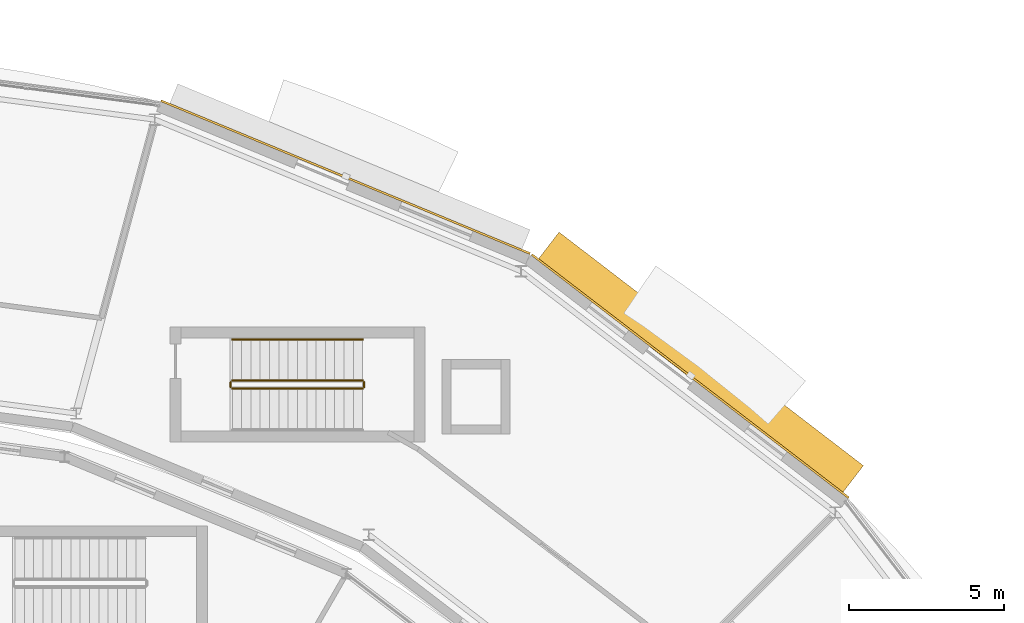
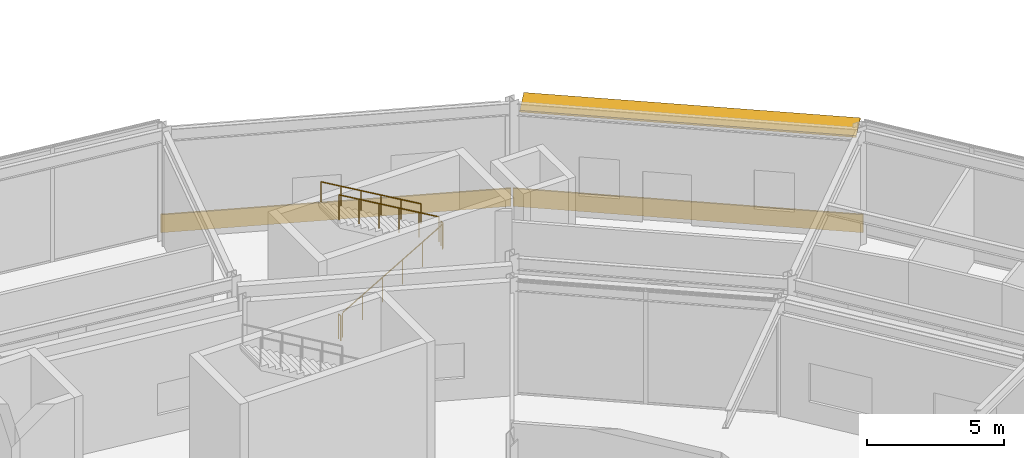
# One storey, part 161 of 168: 5 railings, 2 coverings, 1 shading device.
"""IFC4 building model written with IfcOpenShell, lengths in metres."""

from ifc_helpers import new_model, si_unit, direction, frame, origin, origin_2d, place, context, subcontext, project, spatial, rectangle, circle, extrude, material, layer, layer_set, type_object, element, save


model = new_model("IFC4")

# Units and contexts
model_context = context("Model", 3, precision=1e-05, world=origin(), true_north=direction((0.0, 1.0)))
body_context = subcontext(model_context, "Body", "Model", "MODEL_VIEW")
ifc_project = project(units=[si_unit("LENGTHUNIT", "METRE"), si_unit("AREAUNIT", "SQUARE_METRE"), si_unit("VOLUMEUNIT", "CUBIC_METRE"), si_unit("PLANEANGLEUNIT", "RADIAN"), si_unit("MASSUNIT", "GRAM", prefix="KILO")], contexts=[model_context])

# Site, building, storey
site_placement = place(None, origin())
site = spatial("IfcSite", under=ifc_project, at=site_placement, CompositionType="ELEMENT")
building_placement = place(site_placement, origin())
building = spatial("IfcBuilding", under=site, at=building_placement, Name="Almandine Court Research Institute", CompositionType="ELEMENT")
storey_placement = place(building_placement, origin())
storey = spatial("IfcBuildingStorey", under=building, at=storey_placement, Name="L00", CompositionType="ELEMENT", Elevation=0.0)

# Coverings
ifc_material_1 = material(Name="Honed Andean Red-Buff Sandstone Cladding", Category="masonry")
ifc_layer_1 = layer(ifc_material_1, 0.06494140625)
ifc_layer_set_1 = layer_set([ifc_layer_1], Name="Honed Andean Red-Buff Sandstone Cladding")
covering_type = type_object("IfcCoveringType", Name="Cov-CLAD-SAND", PredefinedType="CLADDING", material=ifc_layer_set_1)
covering_1_placement = place(storey_placement, frame((116.902099609375, 94.968017578125, 0.02001953125), z_axis=(0.0, 0.0, 1.0), x_axis=(0.793353340291, -0.608761429009, 0.0)))
element("IfcCovering", 1, at=covering_1_placement, inside=storey, type_object=covering_type, Name="L00 Facade Spandrel Cladding Band 266", PredefinedType="CLADDING", context=body_context, shape_type="SweptSolid", body=[
    extrude(rectangle(XDim=12.867919921875, YDim=0.06494140625, at=origin_2d()), origin(), (0.0, 0.0, 1.0), 0.800048828125),
])
covering_2_placement = place(storey_placement, frame((105.797119140625, 101.3798828125, 0.02001953125), z_axis=(0.0, 0.0, 1.0), x_axis=(0.923879532511, -0.382683432365, 0.0)))
element("IfcCovering", 2, at=covering_2_placement, inside=storey, type_object=covering_type, Name="L00 Facade Spandrel Cladding Band 268", PredefinedType="CLADDING", context=body_context, shape_type="SweptSolid", body=[
    extrude(rectangle(XDim=12.868896484375, YDim=0.06494140625, at=origin_2d()), origin(), (0.0, 0.0, 1.0), 0.800048828125),
])

# Railings
ifc_material_2 = material(Name="Powder-Coated Steel Stair and Atrium Balustrade", Category="steel")
railing_type_1 = type_object("IfcRailingType", Name="Rail-GUARD-INT", PredefinedType="BALUSTRADE", material=ifc_material_2)
railing_1_placement = place(storey_placement, frame((102.14990234375, 94.570068359375, 0.175048828125)))
element("IfcRailing", 3, at=railing_1_placement, inside=storey, type_object=railing_type_1, Name="L00 ST-09 stair guard 1", PredefinedType="BALUSTRADE", context=body_context, shape_type="SweptSolid", body=[
    extrude(circle(Radius=0.02392578125, at=origin_2d()), frame((0.0, 0.0, 1.09619140625), z_axis=(0.863793468915, 0.0, 0.503846050951), x_axis=(0.0, 1.0, 0.0)), (0.0, 0.0, 1.0), 4.862548828125),
    extrude(circle(Radius=0.02099609375, at=origin_2d()), origin(), (0.0, 0.0, 1.0), 1.072021484375),
    extrude(circle(Radius=0.02099609375, at=origin_2d()), frame((0.840087890625, 0.0, 0.489990234375)), (0.0, 0.0, 1.0), 1.072021484375),
    extrude(circle(Radius=0.02099609375, at=origin_2d()), frame((1.68017578125, 0.0, 0.97998046875)), (0.0, 0.0, 1.0), 1.072021484375),
    extrude(circle(Radius=0.02099609375, at=origin_2d()), frame((2.52001953125, 0.0, 1.469970703125)), (0.0, 0.0, 1.0), 1.072021484375),
    extrude(circle(Radius=0.02099609375, at=origin_2d()), frame((3.360107421875, 0.0, 1.9599609375)), (0.0, 0.0, 1.0), 1.072021484375),
    extrude(circle(Radius=0.02099609375, at=origin_2d()), frame((4.2001953125, 0.0, 2.449951171875)), (0.0, 0.0, 1.0), 1.072021484375),
])
railing_2_placement = place(storey_placement, frame((106.39990234375, 94.6201171875, 2.625)))
element("IfcRailing", 4, at=railing_2_placement, inside=storey, type_object=railing_type_1, Name="L00 ST-09 stair guard 2", PredefinedType="BALUSTRADE", context=body_context, shape_type="SweptSolid", body=[
    extrude(circle(Radius=0.02392578125, at=origin_2d()), frame((0.0, 0.0, 1.09619140625), z_axis=(0.0, 1.0, 0.0), x_axis=(-1.0, 0.0, 0.0)), (0.0, 0.0, 1.0), 0.159912109375),
    extrude(circle(Radius=0.02099609375, at=origin_2d()), origin(), (0.0, 0.0, 1.0), 1.072021484375),
    extrude(circle(Radius=0.02099609375, at=origin_2d()), frame((0.0, 0.159912109375, 0.0)), (0.0, 0.0, 1.0), 1.072021484375),
])
railing_3_placement = place(storey_placement, frame((106.35009765625, 94.830078125, 2.800048828125)))
element("IfcRailing", 5, at=railing_3_placement, inside=storey, type_object=railing_type_1, Name="L00 ST-09 stair guard 3", PredefinedType="BALUSTRADE", context=body_context, shape_type="SweptSolid", body=[
    extrude(circle(Radius=0.02392578125, at=origin_2d()), frame((0.0, 0.0, 1.09619140625), z_axis=(-0.863793468915, 0.0, 0.503846050951), x_axis=(0.0, -1.0, 0.0)), (0.0, 0.0, 1.0), 4.862548828125),
    extrude(circle(Radius=0.02099609375, at=origin_2d()), origin(), (0.0, 0.0, 1.0), 1.072021484375),
    extrude(circle(Radius=0.02099609375, at=origin_2d()), frame((-0.840087890625, 0.0, 0.489990234375)), (0.0, 0.0, 1.0), 1.072021484375),
    extrude(circle(Radius=0.02099609375, at=origin_2d()), frame((-1.68017578125, 0.0, 0.97998046875)), (0.0, 0.0, 1.0), 1.072021484375),
    extrude(circle(Radius=0.02099609375, at=origin_2d()), frame((-2.52001953125, 0.0, 1.469970703125)), (0.0, 0.0, 1.0), 1.072021484375),
    extrude(circle(Radius=0.02099609375, at=origin_2d()), frame((-3.360107421875, 0.0, 1.9599609375)), (0.0, 0.0, 1.0), 1.072021484375),
    extrude(circle(Radius=0.02099609375, at=origin_2d()), frame((-4.2001953125, 0.0, 2.449951171875)), (0.0, 0.0, 1.0), 1.072021484375),
])
railing_4_placement = place(storey_placement, frame((102.10009765625, 94.6201171875, 0.0)))
element("IfcRailing", 6, at=railing_4_placement, inside=storey, type_object=railing_type_1, Name="L00 ST-09 stair guard 4", PredefinedType="BALUSTRADE", context=body_context, shape_type="SweptSolid", body=[
    extrude(circle(Radius=0.02392578125, at=origin_2d()), frame((0.0, 0.0, 1.09619140625), z_axis=(0.0, 1.0, 0.0), x_axis=(-1.0, 0.0, 0.0)), (0.0, 0.0, 1.0), 0.159912109375),
    extrude(circle(Radius=0.02099609375, at=origin_2d()), origin(), (0.0, 0.0, 1.0), 1.072021484375),
    extrude(circle(Radius=0.02099609375, at=origin_2d()), frame((0.0, 0.159912109375, 0.0)), (0.0, 0.0, 1.0), 1.072021484375),
])
ifc_material_3 = material(Name="Brushed Stainless Steel Wall Handrail", Category="steel")
railing_type_2 = type_object("IfcRailingType", Name="Rail-HAND-INT", PredefinedType="HANDRAIL", material=ifc_material_3)
railing_5_placement = place(storey_placement, frame((106.35009765625, 96.14990234375, 2.800048828125)))
element("IfcRailing", 7, at=railing_5_placement, inside=storey, type_object=railing_type_2, Name="L00 ST-09 stair handrail 2", PredefinedType="HANDRAIL", context=body_context, shape_type="SweptSolid", body=[
    extrude(circle(Radius=0.02392578125, at=origin_2d()), frame((0.0, 0.0, 0.8759765625), z_axis=(-0.863793468915, 0.0, 0.503846050951), x_axis=(0.0, -1.0, 0.0)), (0.0, 0.0, 1.0), 4.862548828125),
    extrude(circle(Radius=0.02099609375, at=origin_2d()), origin(), (0.0, 0.0, 1.0), 0.851806640625),
    extrude(circle(Radius=0.02099609375, at=origin_2d()), frame((-0.840087890625, 0.0, 0.489990234375)), (0.0, 0.0, 1.0), 0.851806640625),
    extrude(circle(Radius=0.02099609375, at=origin_2d()), frame((-1.68017578125, 0.0, 0.97998046875)), (0.0, 0.0, 1.0), 0.851806640625),
    extrude(circle(Radius=0.02099609375, at=origin_2d()), frame((-2.52001953125, 0.0, 1.469970703125)), (0.0, 0.0, 1.0), 0.851806640625),
    extrude(circle(Radius=0.02099609375, at=origin_2d()), frame((-3.360107421875, 0.0, 1.9599609375)), (0.0, 0.0, 1.0), 0.851806640625),
    extrude(circle(Radius=0.02099609375, at=origin_2d()), frame((-4.2001953125, 0.0, 2.449951171875)), (0.0, 0.0, 1.0), 0.851806640625),
])

# Shading device
ifc_material_4 = material(Name="Precast GFRC Chhajja Sunshade and Acoustic Louvre", Category="concrete")
ifc_layer_2 = layer(ifc_material_4, 0.080078125)
ifc_layer_set_2 = layer_set([ifc_layer_2], Name="Precast GFRC Chhajja Sunshade and Acoustic Louvre")
shading_device_type = type_object("IfcShadingDeviceType", Name="Shd-SD-82", PredefinedType="AWNING", material=ifc_layer_set_2)
shading_device_placement = place(storey_placement, frame((117.22705078125, 95.39208984375, 4.23583984375), z_axis=(0.0, 0.0, 1.0), x_axis=(0.793353340291, -0.608761429009, 0.0)))
element("IfcShadingDevice", 8, at=shading_device_placement, inside=storey, type_object=shading_device_type, Name="L00 Projecting Chhajja Sunshade 178", PredefinedType="AWNING", context=body_context, shape_type="SweptSolid", body=[
    extrude(rectangle(XDim=12.35791015625, YDim=1.14990234375, at=origin_2d()), origin(), (0.0, 0.0, 1.0), 0.080078125),
])

save(model, "model.ifc")
